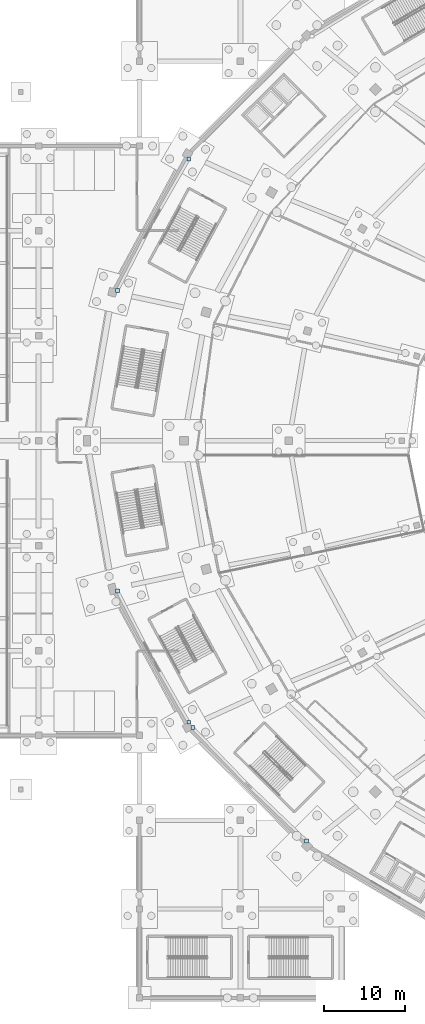
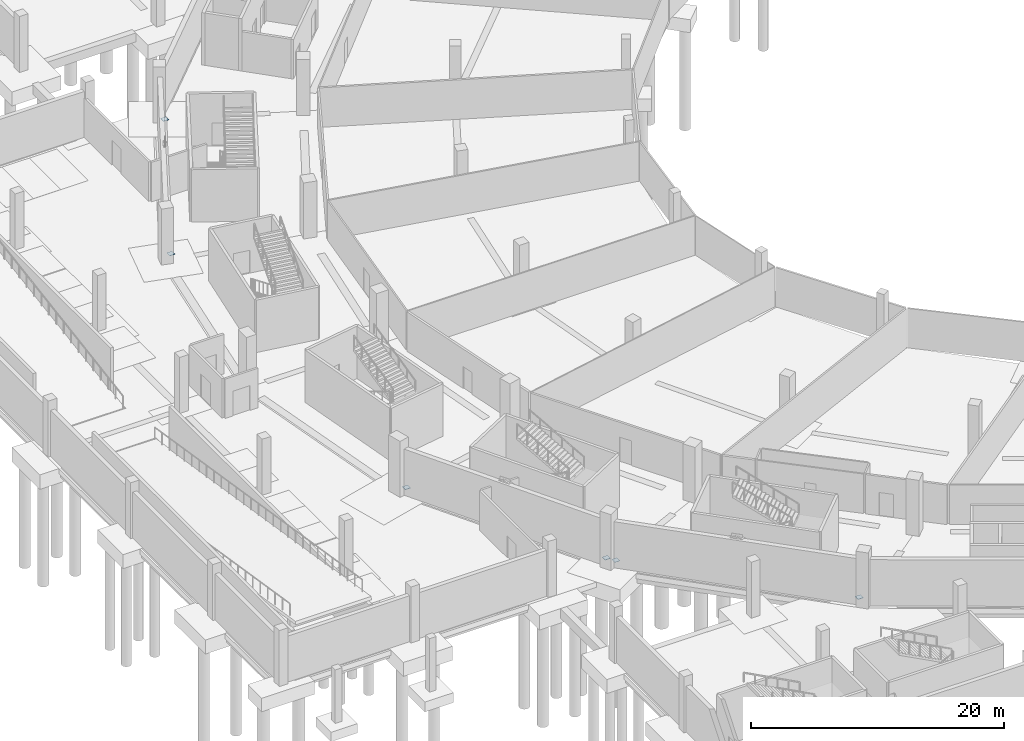
# One storey, part 28 of 74: 6 plates.
"""IFC4 building model written with IfcOpenShell, lengths in metres."""

from ifc_helpers import new_model, si_unit, direction, frame, origin, origin_2d, place, context, subcontext, project, spatial, rectangle, extrude, material, layer, layer_set, type_object, element, save


model = new_model("IFC4")

# Units and contexts
model_context = context("Model", 3, precision=1e-05, world=origin(), true_north=direction((0.0, 1.0)))
body_context = subcontext(model_context, "Body", "Model", "MODEL_VIEW")
ifc_project = project(units=[si_unit("LENGTHUNIT", "METRE"), si_unit("AREAUNIT", "SQUARE_METRE"), si_unit("VOLUMEUNIT", "CUBIC_METRE"), si_unit("PLANEANGLEUNIT", "RADIAN"), si_unit("MASSUNIT", "GRAM", prefix="KILO")], contexts=[model_context])

# Site, building, storey
site_placement = place(None, origin())
site = spatial("IfcSite", under=ifc_project, at=site_placement, CompositionType="ELEMENT")
building_placement = place(site_placement, origin())
building = spatial("IfcBuilding", under=site, at=building_placement, Name="Zlatoyarsky Gate Stadium", CompositionType="ELEMENT")
storey_placement = place(building_placement, frame((0.0, 0.0, -5.39990234375)))
storey = spatial("IfcBuildingStorey", under=building, at=storey_placement, Name="B1", CompositionType="ELEMENT", Elevation=-5.39990234375)

# Plates
ifc_material = material(Name="Steel S355", Category="steel")
ifc_layer = layer(ifc_material, 0.02392578125)
ifc_layer_set = layer_set([ifc_layer], Name="Steel S355")
plate_type = type_object("IfcPlateType", Name="STEEL HOLLOW CHORD SPLICE SHEET 24", PredefinedType="SHEET", material=ifc_layer_set)
for number, where, z_axis, x_axis, name in (
    (1, (30.599853515625, 114.877685546875, 0.337890625), (0.0, 0.0, 1.0), (1.0, 0.0, 0.0), "Node closure plate ND-SP1 NCAP-BRC-04A"),
    (2, (21.76708984375, 98.597900390625, 0.337890625), (0.0, 0.0, 1.0), (1.0, 0.0, 0.0), "Node closure plate ND-SP1 NCAP-BRC-04B"),
    (3, (21.76708984375, 61.402099609375, 0.337890625), (0.0, 0.0, 1.0), (1.0, 0.0, 0.0), "Node closure plate ND-SP1 NCAP-BRC-05A"),
    (4, (30.599853515625, 45.122314453125, 0.337890625), (0.0, 0.0, 1.0), (1.0, 0.0, 0.0), "Node closure plate ND-SP1 NCAP-BRC-05B"),
    (5, (31.09619140625, 44.459228515625, 0.337890625), (0.0, 0.0, 1.0), (1.0, 0.0, 0.0), "Node closure plate ND-SP1 NCAP-BRC-06A"),
    (6, (45.195068359375, 30.431640625, 0.337890625), (0.0, 0.0, 1.0), (1.0, 0.0, 0.0), "Node closure plate ND-SP1 NCAP-BRC-06B"),
):
    element("IfcPlate", number, at=place(storey_placement, frame(where, z_axis=z_axis, x_axis=x_axis)), inside=storey, type_object=plate_type, Name=name, PredefinedType="SHEET", context=body_context, shape_type="SweptSolid", body=[
        extrude(rectangle(XDim=0.47998046875, YDim=0.47998046875, at=origin_2d()), origin(), (0.0, 0.0, 1.0), 0.02392578125),
    ])

save(model, "model.ifc")
